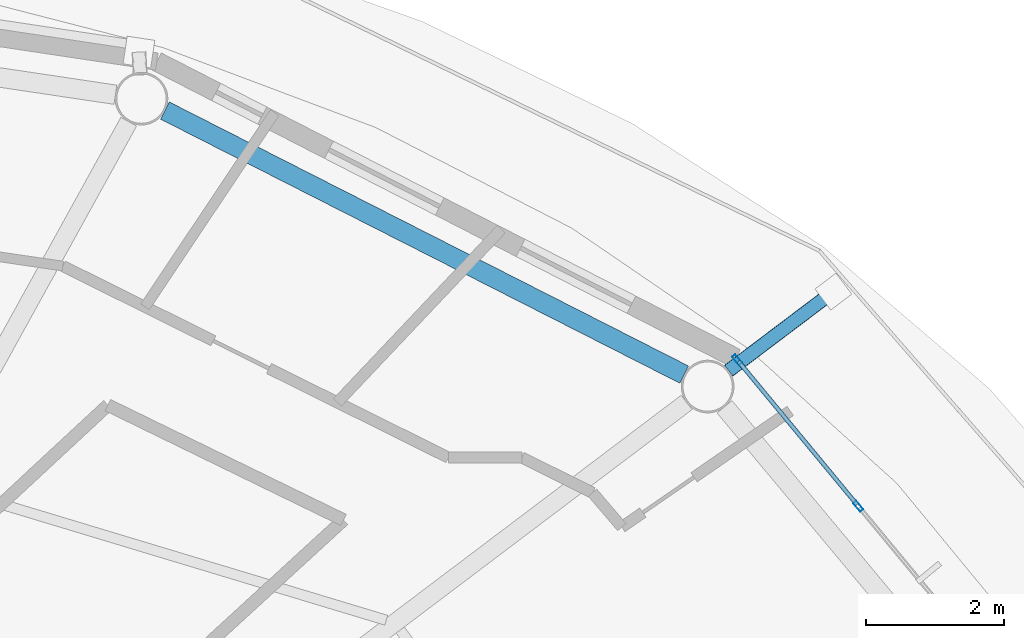
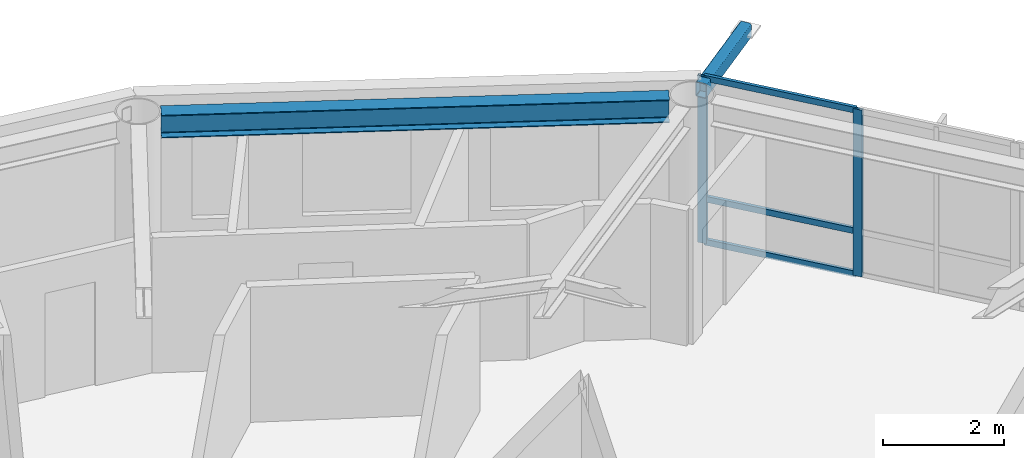
# One storey, part 11 of 23: 6 members, 1 beam, 1 element without a shape of its own.
"""IFC4 building model written with IfcOpenShell, lengths in metres."""

import ifcopenshell
import ifcopenshell.guid

model = None  # the IFC model being written
_history = None  # IfcOwnerHistory: only IFC2X3 demands one
_inside = {}  # id of a spatial element -> (the spatial element, [elements in it])
_under = {}  # id of a project, library or spatial element -> (it, [spatial elements below it])
_declared = {}  # id of a project -> (the project, [libraries it declares])
_typed = {}  # id of a type object -> (the type object, [elements of that type])
_made_of = {}  # id of a material, layer set ... -> (it, [elements and type objects made of it])


def new_model(schema):
    """Start an empty IFC model of exactly this schema.

    Asked for "IFC4X3", IfcOpenShell would pick the latest addendum, in which some entities
    have other attributes; the version numbers below select the first issue.
    IFC2X3 requires an IfcOwnerHistory on every rooted entity: one is made here for all.
    """
    global model, _history
    if schema == "IFC4X3":
        model = ifcopenshell.file(schema_version=(4, 3, 0, 0))
    else:
        model = ifcopenshell.file(schema=schema)
    _inside.clear()
    _under.clear()
    _declared.clear()
    _typed.clear()
    _made_of.clear()
    _history = None
    if model.schema == "IFC2X3":
        org = make("IfcOrganization", Name="unknown")
        user = make(
            "IfcPersonAndOrganization",
            ThePerson=make("IfcPerson", FamilyName="unknown"),
            TheOrganization=org,
        )
        app = make(
            "IfcApplication",
            ApplicationDeveloper=org,
            Version="unknown",
            ApplicationFullName="unknown",
            ApplicationIdentifier="unknown",
        )
        _history = make(
            "IfcOwnerHistory",
            OwningUser=user,
            OwningApplication=app,
            ChangeAction="ADDED",
            CreationDate=0,
        )
    return model


def make(cls, **values):
    """One entity of the class cls with the attributes given. An attribute that is None is left unset."""
    return model.create_entity(
        cls, **{name: value for name, value in values.items() if value is not None}
    )


def rooted(cls, **values):
    """An entity with a GlobalId (a new one), such as an element, a storey or a relation."""
    return make(cls, GlobalId=ifcopenshell.guid.new(), OwnerHistory=_history, **values)


def si_unit(unit_type, name, prefix=None):
    """IfcSIUnit, for example si_unit("LENGTHUNIT", "METRE", prefix="MILLI")."""
    return make("IfcSIUnit", UnitType=unit_type, Prefix=prefix, Name=name)


def assignment(units):
    """IfcUnitAssignment: the units of a project."""
    return None if units is None else make("IfcUnitAssignment", Units=units)


def point(xyz):
    """IfcCartesianPoint."""
    return None if xyz is None else make("IfcCartesianPoint", Coordinates=xyz)


def direction(xyz):
    """IfcDirection."""
    return None if xyz is None else make("IfcDirection", DirectionRatios=xyz)


def frame(location, z_axis=None, x_axis=None):
    """IfcAxis2Placement3D, a coordinate frame: its origin and axes. An axis left out is left unset."""
    return make(
        "IfcAxis2Placement3D",
        Location=point(location),
        Axis=direction(z_axis),
        RefDirection=direction(x_axis),
    )


def frame_2d(location, x_axis=None):
    """IfcAxis2Placement2D, a coordinate frame in the plane: its origin and x axis."""
    return make(
        "IfcAxis2Placement2D", Location=point(location), RefDirection=direction(x_axis)
    )


def origin():
    """The frame at (0, 0, 0) with its axes left unset."""
    return frame((0.0, 0.0, 0.0))


def origin_2d():
    """The frame at (0, 0) in the plane with its x axis left unset."""
    return frame_2d((0.0, 0.0))


def place(relative_to, where):
    """IfcLocalPlacement: puts the frame where relative to a parent placement (None: the world)."""
    return make(
        "IfcLocalPlacement", PlacementRelTo=relative_to, RelativePlacement=where
    )


def context(
    kind, dimensions, precision=None, world=None, true_north=None, identifier=None
):
    """IfcGeometricRepresentationContext, for example the 3D "Model" context."""
    return make(
        "IfcGeometricRepresentationContext",
        ContextIdentifier=identifier,
        ContextType=kind,
        CoordinateSpaceDimension=dimensions,
        Precision=precision,
        WorldCoordinateSystem=world,
        TrueNorth=true_north,
    )


def subcontext(parent, identifier, kind, view, scale=None):
    """IfcGeometricRepresentationSubContext, for example "Body" below "Model"."""
    return make(
        "IfcGeometricRepresentationSubContext",
        ContextIdentifier=identifier,
        ContextType=kind,
        ParentContext=parent,
        TargetScale=scale,
        TargetView=view,
    )


def project(units=None, contexts=None):
    """IfcProject with its units and contexts."""
    return rooted(
        "IfcProject",
        Name="project",
        RepresentationContexts=contexts,
        UnitsInContext=assignment(units),
    )


def spatial(cls, under=None, at=None, **own):
    """A site, building, storey or space (cls), placed at a placement, below another one or the project."""
    s = rooted(cls, ObjectPlacement=at, **own)
    if under is not None:
        _under.setdefault(under.id(), (under, []))[1].append(s)
    return s


def profile(cls, at=None, kind="AREA", **sizes):
    """A parametric profile (cls). Its sizes go by their IFC names, for example OverallWidth=200.0."""
    return make(cls, ProfileType=kind, Position=at, **sizes)


def hollow_rectangle(**sizes):
    """IfcRectangleHollowProfileDef."""
    return profile("IfcRectangleHollowProfileDef", **sizes)


def i_section(**sizes):
    """IfcIShapeProfileDef."""
    return profile("IfcIShapeProfileDef", **sizes)


def extrude(swept, where, along, depth):
    """IfcExtrudedAreaSolid: the profile swept, set in the frame where, extruded along a direction by depth."""
    return make(
        "IfcExtrudedAreaSolid",
        SweptArea=swept,
        Position=where,
        ExtrudedDirection=direction(along),
        Depth=depth,
    )


def shape(context_of_items, identifier, shape_type, items):
    """IfcShapeRepresentation: the items that make up one representation, for example the "Body"."""
    return make(
        "IfcShapeRepresentation",
        ContextOfItems=context_of_items,
        RepresentationIdentifier=identifier,
        RepresentationType=shape_type,
        Items=items,
    )


def material(Name=None, Category=None):
    """IfcMaterial."""
    return make("IfcMaterial", Name=Name, Category=Category)


def layer(
    of_material, thickness, ventilated=None, Name=None, Category=None, Priority=None
):
    """IfcMaterialLayer: one layer of a wall or slab, of a material (None: an air gap)."""
    return make(
        "IfcMaterialLayer",
        Material=of_material,
        LayerThickness=thickness,
        IsVentilated=ventilated,
        Name=Name,
        Category=Category,
        Priority=Priority,
    )


def layer_set(layers, Name=None):
    """IfcMaterialLayerSet."""
    return make("IfcMaterialLayerSet", MaterialLayers=layers, LayerSetName=Name)


def material_profile(
    of_material, cross_section, Name=None, Category=None, Priority=None
):
    """IfcMaterialProfile: a cross section and its material."""
    return make(
        "IfcMaterialProfile",
        Name=Name,
        Material=of_material,
        Profile=cross_section,
        Priority=Priority,
        Category=Category,
    )


def profile_set(profiles, Name=None, composite=None):
    """IfcMaterialProfileSet."""
    return make(
        "IfcMaterialProfileSet",
        Name=Name,
        MaterialProfiles=profiles,
        CompositeProfile=composite,
    )


def made_of(thing, what):
    """Note that an element or type object is made of a material, layer set ...; save() writes the relation."""
    if what is not None:
        _made_of.setdefault(what.id(), (what, []))[1].append(thing)
    return thing


def type_object(cls, material=None, **own):
    """A type object (cls), such as IfcWallType, which elements share."""
    return made_of(rooted(cls, **own), material)


def element(
    cls,
    number,
    at=None,
    inside=None,
    cuts=None,
    type_object=None,
    material=None,
    context=None,
    identifier="Body",
    shape_type=None,
    held_by="IfcProductDefinitionShape",
    body=None,
    shapes=None,
    **own,
):
    """One element of the class cls, such as IfcWall. Its Tag is "e" and its number.

    at: its placement. inside: the storey or other place that contains it. cuts: it is an
    opening in that element (IfcRelVoidsElement). A single representation is given by context,
    identifier, shape_type and body (its items); several are given by shapes. held_by: the class
    of the entity that holds the representations. save() writes the other relations.
    """
    e = rooted(cls, Tag="e%d" % number, ObjectPlacement=at, **own)
    if body is not None:
        shapes = [shape(context, identifier, shape_type, body)]
    if shapes is not None:
        e.Representation = make(held_by, Representations=shapes)
    if inside is not None:
        _inside.setdefault(inside.id(), (inside, []))[1].append(e)
    if cuts is not None:
        rooted(
            "IfcRelVoidsElement", RelatingBuildingElement=cuts, RelatedOpeningElement=e
        )
    if type_object is not None:
        _typed.setdefault(type_object.id(), (type_object, []))[1].append(e)
    return made_of(e, material)


def aggregate(whole, parts):
    """IfcRelAggregates: a whole, such as a stair, and the parts it consists of."""
    return rooted("IfcRelAggregates", RelatingObject=whole, RelatedObjects=parts)


def save(model, path):
    """Write the relations noted so far, then the file.

    IfcRelAggregates (storeys below a building ...), IfcRelContainedInSpatialStructure (elements
    in a storey), IfcRelDefinesByType, IfcRelAssociatesMaterial and IfcRelDeclares: one each for
    every whole, place, type object, material and project.
    """
    for whole, parts in _under.values():
        aggregate(whole, parts)
    for where, things in _inside.values():
        rooted(
            "IfcRelContainedInSpatialStructure",
            RelatedElements=things,
            RelatingStructure=where,
        )
    for kind, things in _typed.values():
        rooted("IfcRelDefinesByType", RelatedObjects=things, RelatingType=kind)
    for what, things in _made_of.values():
        rooted("IfcRelAssociatesMaterial", RelatedObjects=things, RelatingMaterial=what)
    for by, libraries in _declared.values():
        rooted("IfcRelDeclares", RelatingContext=by, RelatedDefinitions=libraries)
    model.write(path)


model = new_model("IFC4")

# Units and contexts
model_context = context("Model", 3, precision=1e-05, world=origin(), true_north=direction((0.0, 1.0)))
body_context = subcontext(model_context, "Body", "Model", "MODEL_VIEW")
ifc_project = project(units=[si_unit("LENGTHUNIT", "METRE"), si_unit("AREAUNIT", "SQUARE_METRE"), si_unit("VOLUMEUNIT", "CUBIC_METRE"), si_unit("PLANEANGLEUNIT", "RADIAN"), si_unit("MASSUNIT", "GRAM", prefix="KILO")], contexts=[model_context])

# Site, building, storey
site_placement = place(None, origin())
site = spatial("IfcSite", under=ifc_project, at=site_placement, CompositionType="ELEMENT")
building_placement = place(site_placement, origin())
building = spatial("IfcBuilding", under=site, at=building_placement, Name="Sarneth Arch Tower", CompositionType="ELEMENT")
storey_placement = place(building_placement, frame((0.0, 0.0, 269.39990234375)))
storey = spatial("IfcBuildingStorey", under=building, at=storey_placement, Name="L69", CompositionType="ELEMENT", Elevation=269.39990234375)

# Beam
ifc_material_1 = material(Name="Steel S355", Category="steel")
ifc_material_profile_1 = material_profile(ifc_material_1, i_section(OverallWidth=0.280029296875, OverallDepth=0.462890625, WebThickness=0.0107421875, FlangeThickness=0.017333984375, FilletRadius=0.01806640625, at=origin_2d()), Name="W460x113")
ifc_profile_set_1 = profile_set([ifc_material_profile_1], Name="Steel S355")
beam_type = type_object("IfcBeamType", Name="BM-RAD-460A", PredefinedType="BEAM", material=ifc_profile_set_1)
beam_placement = place(storey_placement, frame((65.635498046875, 55.749267578125, 3.138671875), z_axis=(-0.891373613492, 0.453269325204, 0.0), x_axis=(-0.453269325204, -0.891373613492, 0.0)))
element("IfcBeam", 1, at=beam_placement, inside=storey, type_object=beam_type, Name="L69 Perimeter spandrel beam 03", PredefinedType="BEAM", context=body_context, shape_type="SweptSolid", body=[
    extrude(i_section(OverallWidth=0.280029296875, OverallDepth=0.462890625, WebThickness=0.0107421875, FlangeThickness=0.017333984375, FilletRadius=0.01806640625, at=origin_2d()), origin(), (0.0, 0.0, 1.0), 8.419677734375),
])

# Curtain wall, members
ifc_material_2 = material(Name="Anodised aluminium Type AA25 and solar-control low-e laminated IGU", Category="aluminium")
ifc_layer = layer(ifc_material_2, 0.179931640625)
ifc_layer_set = layer_set([ifc_layer], Name="Anodised aluminium Type AA25 and solar-control low-e laminated IGU")
curtain_wall_type = type_object("IfcCurtainWallType", Name="CW-RES-HIGH", PredefinedType="NOTDEFINED", material=ifc_layer_set)
curtain_wall_placement = place(storey_placement, origin())
curtain_wall = element("IfcCurtainWall", 2, at=curtain_wall_placement, inside=storey, type_object=curtain_wall_type, Name="L69 Unitised curtain wall facet 02", PredefinedType="NOTDEFINED")
ifc_material_3 = material(Name="Anodised Aluminium 6063-T6", Category="aluminium")
ifc_material_profile_2 = material_profile(ifc_material_3, hollow_rectangle(XDim=0.06005859375, YDim=0.159912109375, WallThickness=0.00390625, at=origin_2d()), Name="AL-MULL-160x60x4")
ifc_profile_set_2 = profile_set([ifc_material_profile_2], Name="Anodised Aluminium 6063-T6")
member_type_1 = type_object("IfcMemberType", Name="CW-MULLION", PredefinedType="MULLION", material=ifc_profile_set_2)
member_1_placement = place(storey_placement, frame((68.15283203125, 53.84765625, 0.0), z_axis=(0.0, 0.0, 1.0), x_axis=(-0.770359245933, -0.637610094184, 0.0)))
member_1 = element("IfcMember", 3, at=member_1_placement, type_object=member_type_1, Name="CW-SYS-6 mullion 3", PredefinedType="MULLION", context=body_context, shape_type="SweptSolid", body=[
    extrude(hollow_rectangle(XDim=0.06005859375, YDim=0.159912109375, WallThickness=0.00390625, at=origin_2d()), origin(), (0.0, 0.0, 1.0), 3.3701171875),
])
member_2_placement = place(storey_placement, frame((66.401611328125, 55.96337890625, 0.0), z_axis=(0.0, 0.0, 1.0), x_axis=(-0.770359245933, -0.637610094184, 0.0)))
member_2 = element("IfcMember", 4, at=member_2_placement, type_object=member_type_1, Name="CW-SYS-6 mullion 4", PredefinedType="MULLION", context=body_context, shape_type="SweptSolid", body=[
    extrude(hollow_rectangle(XDim=0.06005859375, YDim=0.159912109375, WallThickness=0.00390625, at=origin_2d()), origin(), (0.0, 0.0, 1.0), 3.3701171875),
])
ifc_material_4 = material(Name="Anodised Aluminium 6063-T6", Category="aluminium")
ifc_material_profile_3 = material_profile(ifc_material_4, hollow_rectangle(XDim=0.06005859375, YDim=0.1201171875, WallThickness=0.00390625, at=origin_2d()), Name="AL-TRAN-120x60x4")
ifc_profile_set_3 = profile_set([ifc_material_profile_3], Name="Anodised Aluminium 6063-T6")
member_type_2 = type_object("IfcMemberType", Name="CW-TRANSOM", PredefinedType="USERDEFINED", material=ifc_profile_set_3)
member_3_placement = place(storey_placement, frame((68.1337890625, 53.87060546875, 0.030029296875), z_axis=(-0.637606765719, 0.770362000821, 0.0), x_axis=(-0.770362000821, -0.637606765719, 0.0)))
member_3 = element("IfcMember", 5, at=member_3_placement, type_object=member_type_2, Name="CW-SYS-6 transom 3.1", ObjectType="TRANSOM", PredefinedType="USERDEFINED", context=body_context, shape_type="SweptSolid", body=[
    extrude(hollow_rectangle(XDim=0.06005859375, YDim=0.1201171875, WallThickness=0.00390625, at=origin_2d()), origin(), (0.0, 0.0, 1.0), 2.686767578125),
])
member_4_placement = place(storey_placement, frame((68.1337890625, 53.87060546875, 0.900146484375), z_axis=(-0.637606765719, 0.770362000821, 0.0), x_axis=(-0.770362000821, -0.637606765719, 0.0)))
member_4 = element("IfcMember", 6, at=member_4_placement, type_object=member_type_2, Name="CW-SYS-6 transom 3.2", ObjectType="TRANSOM", PredefinedType="USERDEFINED", context=body_context, shape_type="SweptSolid", body=[
    extrude(hollow_rectangle(XDim=0.06005859375, YDim=0.1201171875, WallThickness=0.00390625, at=origin_2d()), origin(), (0.0, 0.0, 1.0), 2.686767578125),
])
member_5_placement = place(storey_placement, frame((68.1337890625, 53.87060546875, 3.340087890625), z_axis=(-0.637606765719, 0.770362000821, 0.0), x_axis=(-0.770362000821, -0.637606765719, 0.0)))
member_5 = element("IfcMember", 7, at=member_5_placement, type_object=member_type_2, Name="CW-SYS-6 transom 3.3", ObjectType="TRANSOM", PredefinedType="USERDEFINED", context=body_context, shape_type="SweptSolid", body=[
    extrude(hollow_rectangle(XDim=0.06005859375, YDim=0.1201171875, WallThickness=0.00390625, at=origin_2d()), origin(), (0.0, 0.0, 1.0), 2.686767578125),
])
aggregate(curtain_wall, [member_1, member_2, member_3, member_4, member_5])

# Member
ifc_material_5 = material(Name="Steel S355", Category="steel")
ifc_material_profile_4 = material_profile(ifc_material_5, hollow_rectangle(XDim=0.199951171875, YDim=0.300048828125, WallThickness=0.012451171875, InnerFilletRadius=0.018798828125, OuterFilletRadius=0.03125, at=origin_2d()), Name="RHS300x200x12.5")
ifc_profile_set_4 = profile_set([ifc_material_profile_4], Name="Steel S355")
member_type_3 = type_object("IfcMemberType", Name="MEM-CANT-STRUT", PredefinedType="STRUT", material=ifc_profile_set_4)
member_6_placement = place(storey_placement, frame((66.279296875, 55.80615234375, 3.210205078125), z_axis=(0.79798703151, 0.602674619958, 0.0), x_axis=(-0.602674619958, 0.79798703151, 0.0)))
element("IfcMember", 8, at=member_6_placement, inside=storey, type_object=member_type_3, Name="L69 Balcony cantilever bracket 03", PredefinedType="STRUT", context=body_context, shape_type="SweptSolid", body=[
    extrude(hollow_rectangle(XDim=0.199951171875, YDim=0.300048828125, WallThickness=0.012451171875, InnerFilletRadius=0.018798828125, OuterFilletRadius=0.03125, at=origin_2d()), origin(), (0.0, 0.0, 1.0), 1.896240234375),
])

save(model, "model.ifc")
